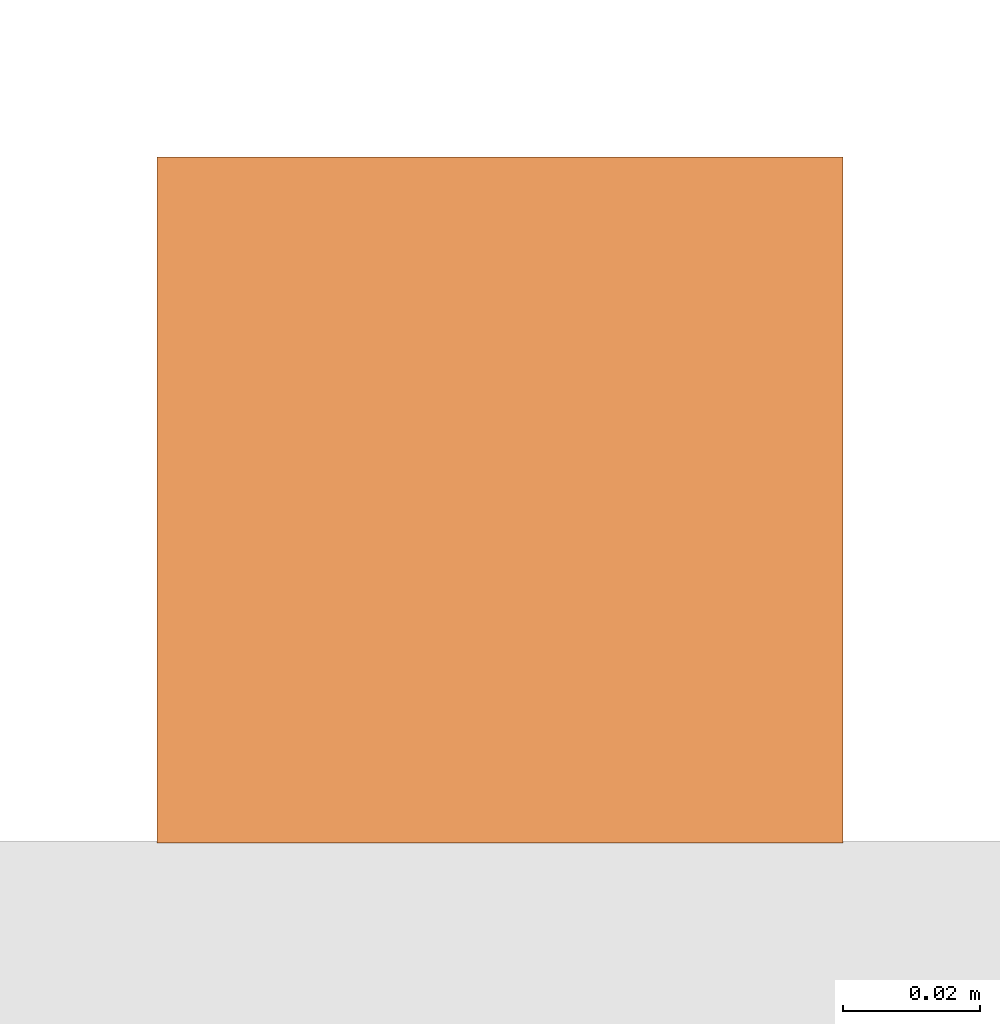
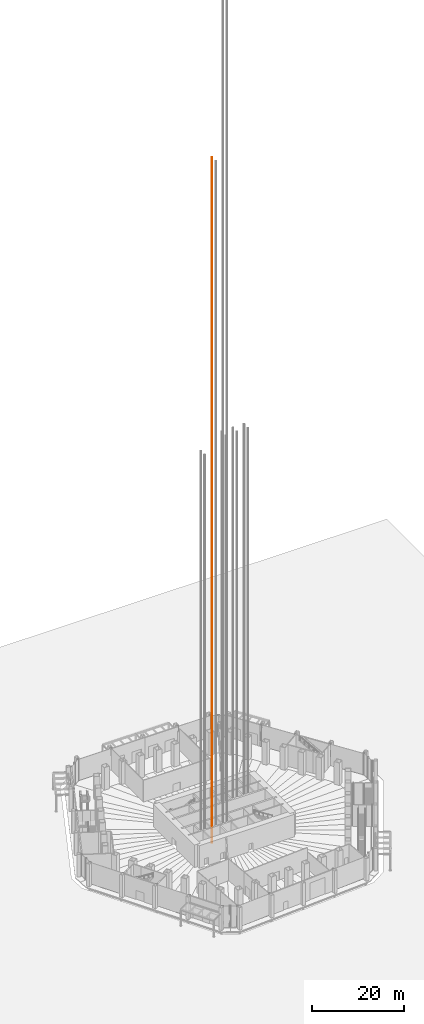
# One storey, part 37 of 45: 1 proxy.
"""IFC4 building model written with IfcOpenShell, lengths in metres."""

from ifc_helpers import new_model, si_unit, direction, frame, origin, origin_2d, place, context, subcontext, project, spatial, rectangle, extrude, material, type_object, element, save


model = new_model("IFC4")

# Units and contexts
model_context = context("Model", 3, precision=1e-05, world=origin(), true_north=direction((0.0, 1.0)))
body_context = subcontext(model_context, "Body", "Model", "MODEL_VIEW")
ifc_project = project(units=[si_unit("LENGTHUNIT", "METRE"), si_unit("AREAUNIT", "SQUARE_METRE"), si_unit("VOLUMEUNIT", "CUBIC_METRE"), si_unit("PLANEANGLEUNIT", "RADIAN"), si_unit("MASSUNIT", "GRAM", prefix="KILO")], contexts=[model_context])

# Site, building, storey
site_placement = place(None, origin())
site = spatial("IfcSite", under=ifc_project, at=site_placement, CompositionType="ELEMENT")
building_placement = place(site_placement, origin())
building = spatial("IfcBuilding", under=site, at=building_placement, Name="Qingtian Harvest Tower", CompositionType="ELEMENT")
storey_placement = place(building_placement, origin())
storey = spatial("IfcBuildingStorey", under=building, at=storey_placement, Name="L00", CompositionType="ELEMENT", Elevation=0.0)

# Proxy
ifc_material = material(Name="Steel SN490B", Category="steel")
building_element_proxy_type = type_object("IfcBuildingElementProxyType", Name="Lift guide rail LR1", PredefinedType="NOTDEFINED", material=ifc_material)
proxy_placement = place(storey_placement, frame((-4.699951171875, -2.675048828125, 0.0), z_axis=(0.0, 0.0, 1.0), x_axis=(1.0, 0.0, 0.0)))
element("IfcBuildingElementProxy", 1, at=proxy_placement, inside=storey, type_object=building_element_proxy_type, Name="Lift SH2 guide rail 2", PredefinedType="NOTDEFINED", context=body_context, shape_type="SweptSolid", body=[
    extrude(rectangle(XDim=0.10009765625, YDim=0.10009765625, at=origin_2d()), origin(), (0.0, 0.0, 1.0), 182.800048828125),
])

save(model, "model.ifc")
